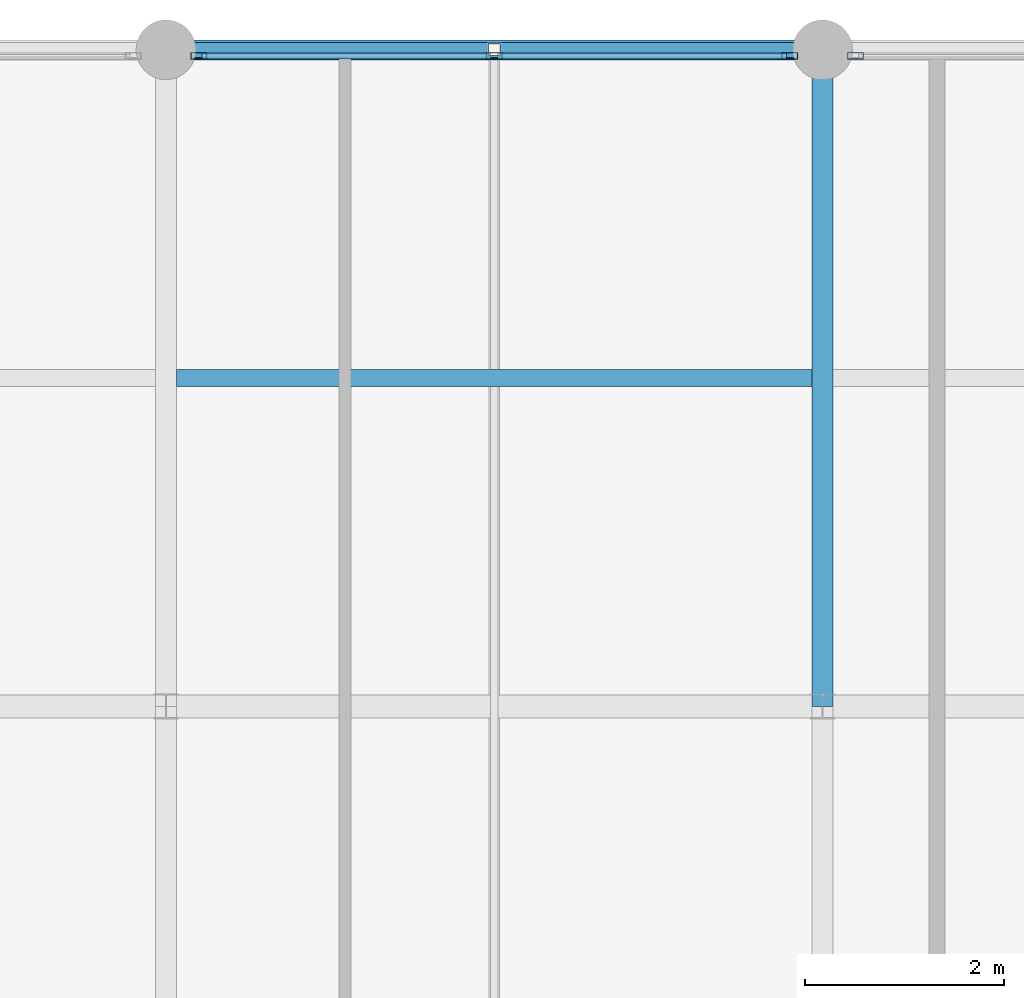
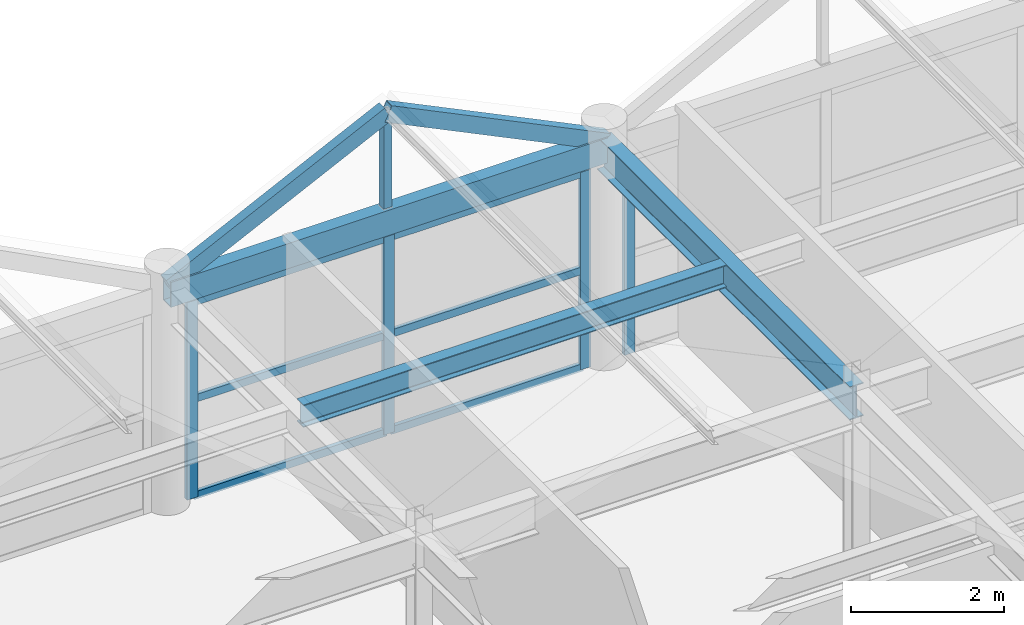
# One storey, part 11 of 21: 13 members, 3 beams, 2 elements without a shape of their own.
"""IFC4 building model written with IfcOpenShell, lengths in metres."""

from ifc_helpers import new_model, si_unit, direction, frame, origin, origin_2d, place, context, subcontext, project, spatial, hollow_rectangle, i_section, extrude, material, material_profile, profile_set, type_object, element, aggregate, save


model = new_model("IFC4")

# Units and contexts
model_context = context("Model", 3, precision=1e-05, world=origin(), true_north=direction((0.0, 1.0)))
body_context = subcontext(model_context, "Body", "Model", "MODEL_VIEW")
ifc_project = project(units=[si_unit("LENGTHUNIT", "METRE"), si_unit("AREAUNIT", "SQUARE_METRE"), si_unit("VOLUMEUNIT", "CUBIC_METRE"), si_unit("PLANEANGLEUNIT", "RADIAN"), si_unit("MASSUNIT", "GRAM", prefix="KILO")], contexts=[model_context])

# Site, building, storey
site_placement = place(None, origin())
site = spatial("IfcSite", under=ifc_project, at=site_placement, CompositionType="ELEMENT")
building_placement = place(site_placement, origin())
building = spatial("IfcBuilding", under=site, at=building_placement, Name="Karori Crest Natural Sciences Institute", CompositionType="ELEMENT")
storey_placement = place(building_placement, frame((0.0, 0.0, 42.0)))
storey = spatial("IfcBuildingStorey", under=building, at=storey_placement, Name="L10", CompositionType="ELEMENT", Elevation=42.0)

# Beams
ifc_material_1 = material(Name="Structural steel AS/NZS 3679.1 Grade 350", Category="steel")
ifc_material_profile_1 = material_profile(ifc_material_1, i_section(OverallWidth=0.208984375, OverallDepth=0.532958984375, WebThickness=0.01025390625, FlangeThickness=0.015625, FilletRadius=0.013916015625, at=origin_2d()), Name="530UB92.4")
ifc_profile_set_1 = profile_set([ifc_material_profile_1], Name="Structural steel AS/NZS 3679.1 Grade 350")
beam_type_1 = type_object("IfcBeamType", Name="BT-05", PredefinedType="BEAM", material=ifc_profile_set_1)
beam_1_placement = place(storey_placement, frame((130.0, 14.0, 3.303466796875), z_axis=(0.0, 1.0, 0.0), x_axis=(-1.0, 0.0, 0.0)))
element("IfcBeam", 1, at=beam_1_placement, inside=storey, type_object=beam_type_1, Name="Beam B-2861", PredefinedType="BEAM", context=body_context, shape_type="SweptSolid", body=[
    extrude(i_section(OverallWidth=0.208984375, OverallDepth=0.532958984375, WebThickness=0.01025390625, FlangeThickness=0.015625, FilletRadius=0.013916015625, at=origin_2d()), origin(), (0.0, 0.0, 1.0), 6.60009765625),
])
ifc_material_profile_2 = material_profile(ifc_material_1, i_section(OverallWidth=0.172119140625, OverallDepth=0.35888671875, WebThickness=0.008056640625, FlangeThickness=0.012939453125, FilletRadius=0.010986328125, at=origin_2d()), Name="360UB56.7")
ifc_profile_set_2 = profile_set([ifc_material_profile_2], Name="Structural steel AS/NZS 3679.1 Grade 350")
beam_type_2 = type_object("IfcBeamType", Name="BT-08", PredefinedType="BEAM", material=ifc_profile_set_2)
beam_2_placement = place(storey_placement, frame((123.50439453125, 17.300048828125, 3.390380859375), z_axis=(1.0, 0.0, 0.0), x_axis=(0.0, 1.0, 0.0)))
element("IfcBeam", 2, at=beam_2_placement, inside=storey, type_object=beam_type_2, Name="Beam B-2873", PredefinedType="BEAM", context=body_context, shape_type="SweptSolid", body=[
    extrude(i_section(OverallWidth=0.172119140625, OverallDepth=0.35888671875, WebThickness=0.008056640625, FlangeThickness=0.012939453125, FilletRadius=0.010986328125, at=origin_2d()), origin(), (0.0, 0.0, 1.0), 6.39111328125),
])
ifc_material_2 = material(Name="Hollow structural steel AS/NZS 1163 Grade C350", Category="steel")
ifc_material_profile_3 = material_profile(ifc_material_2, hollow_rectangle(XDim=0.199951171875, YDim=0.39990234375, WallThickness=0.012451171875, at=origin_2d()), Name="RHS400x200x12.5")
ifc_profile_set_3 = profile_set([ifc_material_profile_3], Name="Hollow structural steel AS/NZS 1163 Grade C350")
beam_type_3 = type_object("IfcBeamType", Name="BT-14", PredefinedType="SPANDREL", material=ifc_profile_set_3)
beam_3_placement = place(storey_placement, frame((123.39990234375, 20.60009765625, 3.3701171875), z_axis=(1.0, 0.0, 0.0), x_axis=(0.0, 1.0, 0.0)))
element("IfcBeam", 3, at=beam_3_placement, inside=storey, type_object=beam_type_3, Name="Beam B-2845", PredefinedType="SPANDREL", context=body_context, shape_type="SweptSolid", body=[
    extrude(hollow_rectangle(XDim=0.199951171875, YDim=0.39990234375, WallThickness=0.012451171875, at=origin_2d()), origin(), (0.0, 0.0, 1.0), 6.60009765625),
])

# Curtain wall, members
ifc_material_3 = material(Name="Anodised architectural aluminium 6063-T6", Category="aluminium")
curtain_wall_type = type_object("IfcCurtainWallType", Name="CWT-20", PredefinedType="NOTDEFINED", material=ifc_material_3)
curtain_wall_1_placement = place(storey_placement, origin())
curtain_wall_1 = element("IfcCurtainWall", 4, at=curtain_wall_1_placement, inside=storey, type_object=curtain_wall_type, Name="Curtain wall CW-0382", PredefinedType="NOTDEFINED")
ifc_material_profile_4 = material_profile(ifc_material_3, hollow_rectangle(XDim=0.06494140625, YDim=0.159912109375, WallThickness=0.00390625, at=origin_2d()), Name="CWM160x65x4")
ifc_profile_set_4 = profile_set([ifc_material_profile_4], Name="Anodised architectural aluminium 6063-T6")
member_type_1 = type_object("IfcMemberType", Name="CWM-01", PredefinedType="MULLION", material=ifc_profile_set_4)
member_1_placement = place(storey_placement, frame((123.73046875, 20.5400390625, 0.0), z_axis=(0.0, 0.0, 1.0), x_axis=(0.0, 1.0, 0.0)))
member_1 = element("IfcMember", 5, at=member_1_placement, type_object=member_type_1, Name="CW-0382 mullion 1", PredefinedType="MULLION", context=body_context, shape_type="SweptSolid", body=[
    extrude(hollow_rectangle(XDim=0.06494140625, YDim=0.159912109375, WallThickness=0.00390625, at=origin_2d()), origin(), (0.0, 0.0, 1.0), 3.155029296875),
])
member_2_placement = place(storey_placement, frame((126.699951171875, 20.5400390625, 0.0), z_axis=(0.0, 0.0, 1.0), x_axis=(0.0, 1.0, 0.0)))
member_2 = element("IfcMember", 6, at=member_2_placement, type_object=member_type_1, Name="CW-0382 mullion 2", PredefinedType="MULLION", context=body_context, shape_type="SweptSolid", body=[
    extrude(hollow_rectangle(XDim=0.06494140625, YDim=0.159912109375, WallThickness=0.00390625, at=origin_2d()), origin(), (0.0, 0.0, 1.0), 3.155029296875),
])
member_3_placement = place(storey_placement, frame((129.66943359375, 20.5400390625, 0.0), z_axis=(0.0, 0.0, 1.0), x_axis=(0.0, 1.0, 0.0)))
member_3 = element("IfcMember", 7, at=member_3_placement, type_object=member_type_1, Name="CW-0382 mullion 3", PredefinedType="MULLION", context=body_context, shape_type="SweptSolid", body=[
    extrude(hollow_rectangle(XDim=0.06494140625, YDim=0.159912109375, WallThickness=0.00390625, at=origin_2d()), origin(), (0.0, 0.0, 1.0), 3.155029296875),
])

# Curtain wall, member
curtain_wall_2_placement = place(storey_placement, origin())
curtain_wall_2 = element("IfcCurtainWall", 8, at=curtain_wall_2_placement, inside=storey, type_object=curtain_wall_type, Name="Curtain wall CW-0383", PredefinedType="NOTDEFINED")
member_4_placement = place(storey_placement, frame((130.33056640625, 20.5400390625, 0.0), z_axis=(0.0, 0.0, 1.0), x_axis=(0.0, 1.0, 0.0)))
member_4 = element("IfcMember", 9, at=member_4_placement, type_object=member_type_1, Name="CW-0383 mullion 1", PredefinedType="MULLION", context=body_context, shape_type="SweptSolid", body=[
    extrude(hollow_rectangle(XDim=0.06494140625, YDim=0.159912109375, WallThickness=0.00390625, at=origin_2d()), origin(), (0.0, 0.0, 1.0), 3.155029296875),
])
aggregate(curtain_wall_2, [member_4])

# Member
ifc_material_profile_5 = material_profile(ifc_material_3, hollow_rectangle(XDim=0.06005859375, YDim=0.1201171875, WallThickness=0.00390625, at=origin_2d()), Name="CWT120x60x4")
ifc_profile_set_5 = profile_set([ifc_material_profile_5], Name="Anodised architectural aluminium 6063-T6")
member_type_2 = type_object("IfcMemberType", Name="CWT-TR1", PredefinedType="USERDEFINED", material=ifc_profile_set_5)
member_5_placement = place(storey_placement, frame((123.762939453125, 20.5400390625, 0.030029296875), z_axis=(1.0, 0.0, 0.0), x_axis=(0.0, 1.0, 0.0)))
member_5 = element("IfcMember", 10, at=member_5_placement, type_object=member_type_2, Name="CW-0382 transom 1.1", ObjectType="TRANSOM", PredefinedType="USERDEFINED", context=body_context, shape_type="SweptSolid", body=[
    extrude(hollow_rectangle(XDim=0.06005859375, YDim=0.1201171875, WallThickness=0.00390625, at=origin_2d()), origin(), (0.0, 0.0, 1.0), 2.904541015625),
])

member_6_placement = place(storey_placement, frame((123.762939453125, 20.5400390625, 1.577392578125), z_axis=(1.0, 0.0, 0.0), x_axis=(0.0, 1.0, 0.0)))
member_6 = element("IfcMember", 11, at=member_6_placement, type_object=member_type_2, Name="CW-0382 transom 1.2", ObjectType="TRANSOM", PredefinedType="USERDEFINED", context=body_context, shape_type="SweptSolid", body=[
    extrude(hollow_rectangle(XDim=0.06005859375, YDim=0.1201171875, WallThickness=0.00390625, at=origin_2d()), origin(), (0.0, 0.0, 1.0), 2.904541015625),
])

member_7_placement = place(storey_placement, frame((123.762939453125, 20.5400390625, 3.125), z_axis=(1.0, 0.0, 0.0), x_axis=(0.0, 1.0, 0.0)))
member_7 = element("IfcMember", 12, at=member_7_placement, type_object=member_type_2, Name="CW-0382 transom 1.3", ObjectType="TRANSOM", PredefinedType="USERDEFINED", context=body_context, shape_type="SweptSolid", body=[
    extrude(hollow_rectangle(XDim=0.06005859375, YDim=0.1201171875, WallThickness=0.00390625, at=origin_2d()), origin(), (0.0, 0.0, 1.0), 2.904541015625),
])

member_8_placement = place(storey_placement, frame((126.732421875, 20.5400390625, 0.030029296875), z_axis=(1.0, 0.0, 0.0), x_axis=(0.0, 1.0, 0.0)))
member_8 = element("IfcMember", 13, at=member_8_placement, type_object=member_type_2, Name="CW-0382 transom 2.1", ObjectType="TRANSOM", PredefinedType="USERDEFINED", context=body_context, shape_type="SweptSolid", body=[
    extrude(hollow_rectangle(XDim=0.06005859375, YDim=0.1201171875, WallThickness=0.00390625, at=origin_2d()), origin(), (0.0, 0.0, 1.0), 2.904541015625),
])

member_9_placement = place(storey_placement, frame((126.732421875, 20.5400390625, 1.577392578125), z_axis=(1.0, 0.0, 0.0), x_axis=(0.0, 1.0, 0.0)))
member_9 = element("IfcMember", 14, at=member_9_placement, type_object=member_type_2, Name="CW-0382 transom 2.2", ObjectType="TRANSOM", PredefinedType="USERDEFINED", context=body_context, shape_type="SweptSolid", body=[
    extrude(hollow_rectangle(XDim=0.06005859375, YDim=0.1201171875, WallThickness=0.00390625, at=origin_2d()), origin(), (0.0, 0.0, 1.0), 2.904541015625),
])

member_10_placement = place(storey_placement, frame((126.732421875, 20.5400390625, 3.125), z_axis=(1.0, 0.0, 0.0), x_axis=(0.0, 1.0, 0.0)))
member_10 = element("IfcMember", 15, at=member_10_placement, type_object=member_type_2, Name="CW-0382 transom 2.3", ObjectType="TRANSOM", PredefinedType="USERDEFINED", context=body_context, shape_type="SweptSolid", body=[
    extrude(hollow_rectangle(XDim=0.06005859375, YDim=0.1201171875, WallThickness=0.00390625, at=origin_2d()), origin(), (0.0, 0.0, 1.0), 2.904541015625),
])

aggregate(curtain_wall_1, [member_1, member_2, member_3, member_5, member_6, member_7, member_8, member_9, member_10])

# Members
ifc_material_profile_6 = material_profile(ifc_material_2, hollow_rectangle(XDim=0.14990234375, YDim=0.25, WallThickness=0.009033203125, at=origin_2d()), Name="RHS250x150x9")
ifc_profile_set_6 = profile_set([ifc_material_profile_6], Name="Hollow structural steel AS/NZS 1163 Grade C350")
member_type_3 = type_object("IfcMemberType", Name="MT-08", PredefinedType="RAFTER", material=ifc_profile_set_6)
for number, where, z_axis, x_axis, name in (
    (16, (123.39990234375, 20.60009765625, 3.489990234375), (0.899806188121, 0.0, 0.436289839235), (0.0, 1.0, 0.0), "Member M-0486"),
    (17, (130.0, 20.60009765625, 3.489990234375), (-0.899806188121, 0.0, 0.436289839235), (0.0, -1.0, 0.0), "Member M-0487"),
):
    element("IfcMember", number, at=place(storey_placement, frame(where, z_axis=z_axis, x_axis=x_axis)), inside=storey, type_object=member_type_3, Name=name, PredefinedType="RAFTER", context=body_context, shape_type="SweptSolid", body=[
        extrude(hollow_rectangle(XDim=0.14990234375, YDim=0.25, WallThickness=0.009033203125, at=origin_2d()), origin(), (0.0, 0.0, 1.0), 3.66748046875),
    ])
ifc_material_profile_7 = material_profile(ifc_material_2, hollow_rectangle(XDim=0.125, YDim=0.125, WallThickness=0.006103515625, at=origin_2d()), Name="SHS125x125x6")
ifc_profile_set_7 = profile_set([ifc_material_profile_7], Name="Hollow structural steel AS/NZS 1163 Grade C350")
member_type_4 = type_object("IfcMemberType", Name="MT-20", PredefinedType="STRUT", material=ifc_profile_set_7)
member_11_placement = place(storey_placement, frame((126.699951171875, 20.60009765625, 3.58203125), z_axis=(0.0, 0.0, 1.0), x_axis=(1.0, 0.0, 0.0)))
element("IfcMember", 18, at=member_11_placement, inside=storey, type_object=member_type_4, Name="Member M-0483", PredefinedType="STRUT", context=body_context, shape_type="SweptSolid", body=[
    extrude(hollow_rectangle(XDim=0.125, YDim=0.125, WallThickness=0.006103515625, at=origin_2d()), origin(), (0.0, 0.0, 1.0), 1.508056640625),
])

save(model, "model.ifc")
